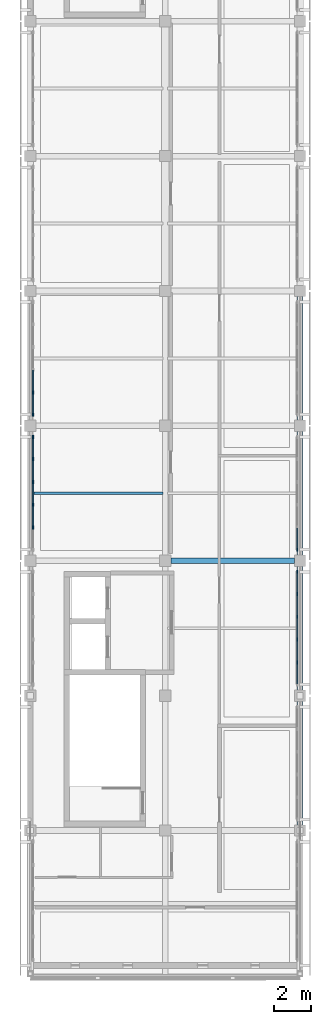
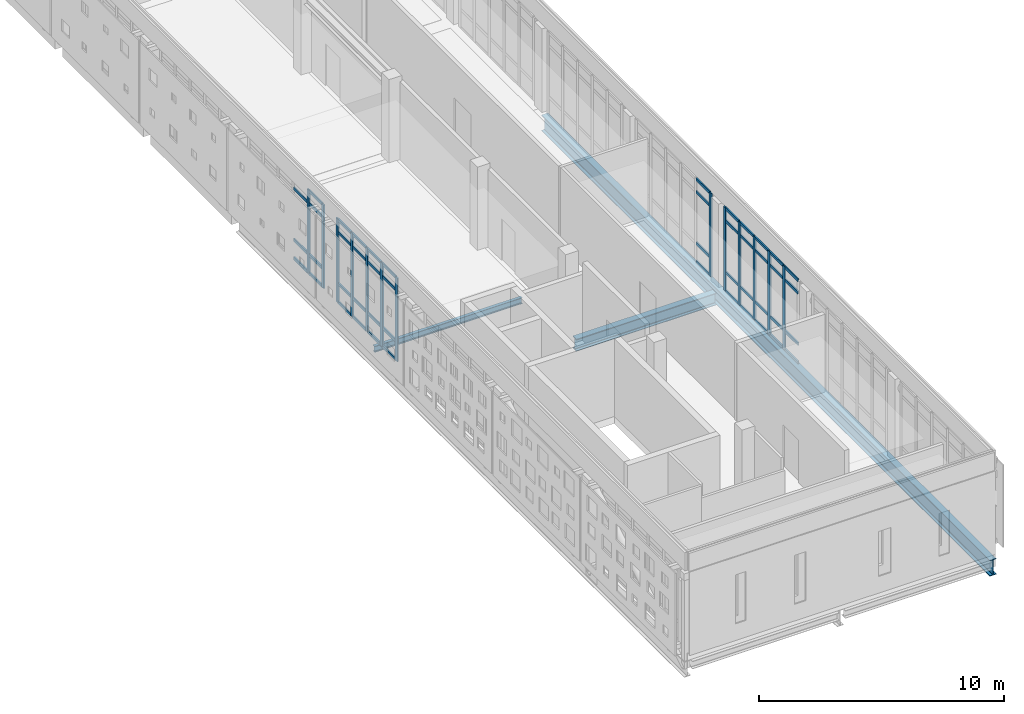
# One storey, part 4 of 19: 60 members, 3 beams, 4 elements without a shape of their own.
"""IFC4 building model written with IfcOpenShell, lengths in metres."""

from ifc_helpers import new_model, si_unit, direction, frame, origin, origin_2d, place, context, subcontext, project, spatial, rectangle, i_section, extrude, material, layer, layer_set, material_profile, profile_set, type_object, element, aggregate, save


model = new_model("IFC4")

# Units and contexts
model_context = context("Model", 3, precision=1e-05, world=origin(), true_north=direction((0.0, 1.0)))
body_context = subcontext(model_context, "Body", "Model", "MODEL_VIEW")
ifc_project = project(units=[si_unit("LENGTHUNIT", "METRE"), si_unit("AREAUNIT", "SQUARE_METRE"), si_unit("VOLUMEUNIT", "CUBIC_METRE"), si_unit("PLANEANGLEUNIT", "RADIAN"), si_unit("MASSUNIT", "GRAM", prefix="KILO")], contexts=[model_context])

# Site, building, storey
site_placement = place(None, origin())
site = spatial("IfcSite", under=ifc_project, at=site_placement, CompositionType="ELEMENT")
building_placement = place(site_placement, origin())
building = spatial("IfcBuilding", under=site, at=building_placement, Name="Valkovuoma Quantum and Materials Research Institute", CompositionType="ELEMENT")
storey_placement = place(building_placement, frame((0.0, 0.0, 38.080078125)))
storey = spatial("IfcBuildingStorey", under=building, at=storey_placement, Name="L09", CompositionType="ELEMENT", Elevation=38.080078125)

# Beams
ifc_material_1 = material(Name="Steel S355J2", Category="steel")
ifc_material_profile_1 = material_profile(ifc_material_1, i_section(OverallWidth=0.300048828125, OverallDepth=0.60009765625, WebThickness=0.015380859375, FlangeThickness=0.030029296875, FilletRadius=0.027099609375, at=origin_2d()), Name="Steel S355J2")
ifc_profile_set_1 = profile_set([ifc_material_profile_1], Name="Steel S355J2")
beam_type_1 = type_object("IfcBeamType", Name="Beam-B-HEB600", PredefinedType="BEAM", material=ifc_profile_set_1)
beam_1_placement = place(storey_placement, frame((7.5, 43.199951171875, -0.650146484375), z_axis=(1.0, 0.0, 0.0), x_axis=(0.0, 1.0, 0.0)))
element("IfcBeam", 1, at=beam_1_placement, inside=storey, type_object=beam_type_1, Name="L09 beam X-2575", PredefinedType="BEAM", context=body_context, shape_type="SweptSolid", body=[
    extrude(i_section(OverallWidth=0.300048828125, OverallDepth=0.60009765625, WebThickness=0.015380859375, FlangeThickness=0.030029296875, FilletRadius=0.027099609375, at=origin_2d()), origin(), (0.0, 0.0, 1.0), 6.60009765625),
])
ifc_material_2 = material(Name="Steel S355J2", Category="steel")
ifc_material_profile_2 = material_profile(ifc_material_2, i_section(OverallWidth=0.300048828125, OverallDepth=0.800048828125, WebThickness=0.017578125, FlangeThickness=0.032958984375, FilletRadius=0.030029296875, at=origin_2d()), Name="Steel S355J2")
ifc_profile_set_2 = profile_set([ifc_material_profile_2], Name="Steel S355J2")
beam_type_2 = type_object("IfcBeamType", Name="Beam-B-HEB800", PredefinedType="BEAM", material=ifc_profile_set_2)
beam_2_placement = place(storey_placement, frame((14.39990234375, 21.0, -0.75), z_axis=(0.0, 1.0, 0.0), x_axis=(-1.0, 0.0, 0.0)))
element("IfcBeam", 2, at=beam_2_placement, inside=storey, type_object=beam_type_2, Name="L09 cantilever girder X2", PredefinedType="BEAM", context=body_context, shape_type="SweptSolid", body=[
    extrude(i_section(OverallWidth=0.300048828125, OverallDepth=0.800048828125, WebThickness=0.017578125, FlangeThickness=0.032958984375, FilletRadius=0.030029296875, at=origin_2d()), origin(), (0.0, 0.0, 1.0), 36.60009765625),
])
ifc_material_3 = material(Name="Steel S355J2", Category="steel")
ifc_material_profile_3 = material_profile(ifc_material_3, i_section(OverallWidth=0.14990234375, OverallDepth=0.300048828125, WebThickness=0.007080078125, FlangeThickness=0.0107421875, FilletRadius=0.014892578125, at=origin_2d()), Name="Steel S355J2")
ifc_profile_set_3 = profile_set([ifc_material_profile_3], Name="Steel S355J2")
beam_type_3 = type_object("IfcBeamType", Name="Beam-B-JST300", PredefinedType="JOIST", material=ifc_profile_set_3)
beam_3_placement = place(storey_placement, frame((0.1201171875, 46.800048828125, -0.5), z_axis=(1.0, 0.0, 0.0), x_axis=(0.0, 1.0, 0.0)))
element("IfcBeam", 3, at=beam_3_placement, inside=storey, type_object=beam_type_3, Name="L09 floor joist 2602", PredefinedType="JOIST", context=body_context, shape_type="SweptSolid", body=[
    extrude(i_section(OverallWidth=0.14990234375, OverallDepth=0.300048828125, WebThickness=0.007080078125, FlangeThickness=0.0107421875, FilletRadius=0.014892578125, at=origin_2d()), origin(), (0.0, 0.0, 1.0), 6.9599609375),
])

# Curtain wall, members
ifc_material_4 = material(Name="Thermally broken aluminium and triple low-E glazing", Category="aluminium")
ifc_layer = layer(ifc_material_4, 0.219970703125)
ifc_layer_set = layer_set([ifc_layer], Name="Thermally broken aluminium and triple low-E glazing")
curtain_wall_type = type_object("IfcCurtainWallType", Name="CW-CW-01", PredefinedType="NOTDEFINED", material=ifc_layer_set)
curtain_wall_1_placement = place(storey_placement, origin())
curtain_wall_1 = element("IfcCurtainWall", 4, at=curtain_wall_1_placement, inside=storey, type_object=curtain_wall_type, Name="L09 curtain wall 131", PredefinedType="NOTDEFINED")
ifc_material_5 = material(Name="Anodised aluminium 6060-T66", Category="aluminium")
ifc_material_profile_4 = material_profile(ifc_material_5, rectangle(XDim=0.06494140625, YDim=0.179931640625, at=origin_2d()), Name="Anodised aluminium 6060-T66")
ifc_profile_set_4 = profile_set([ifc_material_profile_4], Name="Anodised aluminium 6060-T66")
member_type_1 = type_object("IfcMemberType", Name="CWMull-CWM-01", PredefinedType="MULLION", material=ifc_profile_set_4)
member_1_placement = place(storey_placement, frame((14.25, 37.774169921875, 0.0), z_axis=(0.0, 0.0, 1.0), x_axis=(-1.0, 0.0, 0.0)))
member_1 = element("IfcMember", 5, at=member_1_placement, type_object=member_type_1, Name="CW-01 mullion 2", PredefinedType="MULLION", context=body_context, shape_type="SweptSolid", body=[
    extrude(rectangle(XDim=0.06494140625, YDim=0.179931640625, at=origin_2d()), origin(), (0.0, 0.0, 1.0), 4.159912109375),
])
member_2_placement = place(storey_placement, frame((14.25, 38.991455078125, 0.0), z_axis=(0.0, 0.0, 1.0), x_axis=(-1.0, 0.0, 0.0)))
member_2 = element("IfcMember", 6, at=member_2_placement, type_object=member_type_1, Name="CW-01 mullion 3", PredefinedType="MULLION", context=body_context, shape_type="SweptSolid", body=[
    extrude(rectangle(XDim=0.06494140625, YDim=0.179931640625, at=origin_2d()), origin(), (0.0, 0.0, 1.0), 4.159912109375),
])
member_3_placement = place(storey_placement, frame((14.25, 40.20849609375, 0.0), z_axis=(0.0, 0.0, 1.0), x_axis=(-1.0, 0.0, 0.0)))
member_3 = element("IfcMember", 7, at=member_3_placement, type_object=member_type_1, Name="CW-01 mullion 4", PredefinedType="MULLION", context=body_context, shape_type="SweptSolid", body=[
    extrude(rectangle(XDim=0.06494140625, YDim=0.179931640625, at=origin_2d()), origin(), (0.0, 0.0, 1.0), 4.159912109375),
])
member_4_placement = place(storey_placement, frame((14.25, 41.42578125, 0.0), z_axis=(0.0, 0.0, 1.0), x_axis=(-1.0, 0.0, 0.0)))
member_4 = element("IfcMember", 8, at=member_4_placement, type_object=member_type_1, Name="CW-01 mullion 5", PredefinedType="MULLION", context=body_context, shape_type="SweptSolid", body=[
    extrude(rectangle(XDim=0.06494140625, YDim=0.179931640625, at=origin_2d()), origin(), (0.0, 0.0, 1.0), 4.159912109375),
])
member_5_placement = place(storey_placement, frame((14.25, 42.6103515625, 0.0), z_axis=(0.0, 0.0, 1.0), x_axis=(-1.0, 0.0, 0.0)))
member_5 = element("IfcMember", 9, at=member_5_placement, type_object=member_type_1, Name="CW-01 mullion 6", PredefinedType="MULLION", context=body_context, shape_type="SweptSolid", body=[
    extrude(rectangle(XDim=0.06494140625, YDim=0.179931640625, at=origin_2d()), origin(), (0.0, 0.0, 1.0), 4.159912109375),
])

curtain_wall_2_placement = place(storey_placement, origin())
curtain_wall_2 = element("IfcCurtainWall", 10, at=curtain_wall_2_placement, inside=storey, type_object=curtain_wall_type, Name="L09 curtain wall 132", PredefinedType="NOTDEFINED")
member_6_placement = place(storey_placement, frame((0.14990234375, 44.974365234375, 0.0), z_axis=(0.0, 0.0, 1.0), x_axis=(-1.0, 0.0, 0.0)))
member_6 = element("IfcMember", 11, at=member_6_placement, type_object=member_type_1, Name="CW-01 mullion 2", PredefinedType="MULLION", context=body_context, shape_type="SweptSolid", body=[
    extrude(rectangle(XDim=0.06494140625, YDim=0.179931640625, at=origin_2d()), origin(), (0.0, 0.0, 1.0), 4.159912109375),
])
member_7_placement = place(storey_placement, frame((0.14990234375, 46.19140625, 0.0), z_axis=(0.0, 0.0, 1.0), x_axis=(-1.0, 0.0, 0.0)))
member_7 = element("IfcMember", 12, at=member_7_placement, type_object=member_type_1, Name="CW-01 mullion 3", PredefinedType="MULLION", context=body_context, shape_type="SweptSolid", body=[
    extrude(rectangle(XDim=0.06494140625, YDim=0.179931640625, at=origin_2d()), origin(), (0.0, 0.0, 1.0), 4.159912109375),
])
member_8_placement = place(storey_placement, frame((0.14990234375, 47.40869140625, 0.0), z_axis=(0.0, 0.0, 1.0), x_axis=(-1.0, 0.0, 0.0)))
member_8 = element("IfcMember", 13, at=member_8_placement, type_object=member_type_1, Name="CW-01 mullion 4", PredefinedType="MULLION", context=body_context, shape_type="SweptSolid", body=[
    extrude(rectangle(XDim=0.06494140625, YDim=0.179931640625, at=origin_2d()), origin(), (0.0, 0.0, 1.0), 4.159912109375),
])
member_9_placement = place(storey_placement, frame((0.14990234375, 48.625732421875, 0.0), z_axis=(0.0, 0.0, 1.0), x_axis=(-1.0, 0.0, 0.0)))
member_9 = element("IfcMember", 14, at=member_9_placement, type_object=member_type_1, Name="CW-01 mullion 5", PredefinedType="MULLION", context=body_context, shape_type="SweptSolid", body=[
    extrude(rectangle(XDim=0.06494140625, YDim=0.179931640625, at=origin_2d()), origin(), (0.0, 0.0, 1.0), 4.159912109375),
])
member_10_placement = place(storey_placement, frame((0.14990234375, 49.810302734375, 0.0), z_axis=(0.0, 0.0, 1.0), x_axis=(-1.0, 0.0, 0.0)))
member_10 = element("IfcMember", 15, at=member_10_placement, type_object=member_type_1, Name="CW-01 mullion 6", PredefinedType="MULLION", context=body_context, shape_type="SweptSolid", body=[
    extrude(rectangle(XDim=0.06494140625, YDim=0.179931640625, at=origin_2d()), origin(), (0.0, 0.0, 1.0), 4.159912109375),
])

# Curtain wall, member
curtain_wall_3_placement = place(storey_placement, origin())
curtain_wall_3 = element("IfcCurtainWall", 16, at=curtain_wall_3_placement, inside=storey, type_object=curtain_wall_type, Name="L09 curtain wall 133", PredefinedType="NOTDEFINED")
member_11_placement = place(storey_placement, frame((14.25, 43.78955078125, 0.0), z_axis=(0.0, 0.0, 1.0), x_axis=(-1.0, 0.0, 0.0)))
member_11 = element("IfcMember", 17, at=member_11_placement, type_object=member_type_1, Name="CW-01 mullion 1", PredefinedType="MULLION", context=body_context, shape_type="SweptSolid", body=[
    extrude(rectangle(XDim=0.06494140625, YDim=0.179931640625, at=origin_2d()), origin(), (0.0, 0.0, 1.0), 4.159912109375),
])

# Curtain wall, members
curtain_wall_4_placement = place(storey_placement, origin())
curtain_wall_4 = element("IfcCurtainWall", 18, at=curtain_wall_4_placement, inside=storey, type_object=curtain_wall_type, Name="L09 curtain wall 134", PredefinedType="NOTDEFINED")
member_12_placement = place(storey_placement, frame((0.14990234375, 50.989501953125, 0.0), z_axis=(0.0, 0.0, 1.0), x_axis=(-1.0, 0.0, 0.0)))
member_12 = element("IfcMember", 19, at=member_12_placement, type_object=member_type_1, Name="CW-01 mullion 1", PredefinedType="MULLION", context=body_context, shape_type="SweptSolid", body=[
    extrude(rectangle(XDim=0.06494140625, YDim=0.179931640625, at=origin_2d()), origin(), (0.0, 0.0, 1.0), 4.159912109375),
])
member_13_placement = place(storey_placement, frame((0.14990234375, 52.17431640625, 0.0), z_axis=(0.0, 0.0, 1.0), x_axis=(-1.0, 0.0, 0.0)))
member_13 = element("IfcMember", 20, at=member_13_placement, type_object=member_type_1, Name="CW-01 mullion 2", PredefinedType="MULLION", context=body_context, shape_type="SweptSolid", body=[
    extrude(rectangle(XDim=0.06494140625, YDim=0.179931640625, at=origin_2d()), origin(), (0.0, 0.0, 1.0), 4.159912109375),
])

# Member
ifc_material_6 = material(Name="Anodised aluminium 6060-T66", Category="aluminium")
ifc_material_profile_5 = material_profile(ifc_material_6, rectangle(XDim=0.06494140625, YDim=0.139892578125, at=origin_2d()), Name="Anodised aluminium 6060-T66")
ifc_profile_set_5 = profile_set([ifc_material_profile_5], Name="Anodised aluminium 6060-T66")
member_type_2 = type_object("IfcMemberType", Name="CWTran-CWT-01", PredefinedType="USERDEFINED", material=ifc_profile_set_5)
member_14_placement = place(storey_placement, frame((14.25, 36.6220703125, 0.032470703125), z_axis=(0.0, 1.0, 0.0), x_axis=(-1.0, 0.0, 0.0)))
member_14 = element("IfcMember", 21, at=member_14_placement, type_object=member_type_2, Name="CW-01 transom 1.1", ObjectType="TRANSOM", PredefinedType="USERDEFINED", context=body_context, shape_type="SweptSolid", body=[
    extrude(rectangle(XDim=0.06494140625, YDim=0.139892578125, at=origin_2d()), origin(), (0.0, 0.0, 1.0), 1.11962890625),
])

member_15_placement = place(storey_placement, frame((14.25, 36.6220703125, 0.949951171875), z_axis=(0.0, 1.0, 0.0), x_axis=(-1.0, 0.0, 0.0)))
member_15 = element("IfcMember", 22, at=member_15_placement, type_object=member_type_2, Name="CW-01 transom 1.2", ObjectType="TRANSOM", PredefinedType="USERDEFINED", context=body_context, shape_type="SweptSolid", body=[
    extrude(rectangle(XDim=0.06494140625, YDim=0.139892578125, at=origin_2d()), origin(), (0.0, 0.0, 1.0), 1.11962890625),
])

member_16_placement = place(storey_placement, frame((14.25, 36.6220703125, 3.510009765625), z_axis=(0.0, 1.0, 0.0), x_axis=(-1.0, 0.0, 0.0)))
member_16 = element("IfcMember", 23, at=member_16_placement, type_object=member_type_2, Name="CW-01 transom 1.3", ObjectType="TRANSOM", PredefinedType="USERDEFINED", context=body_context, shape_type="SweptSolid", body=[
    extrude(rectangle(XDim=0.06494140625, YDim=0.139892578125, at=origin_2d()), origin(), (0.0, 0.0, 1.0), 1.11962890625),
])

member_17_placement = place(storey_placement, frame((14.25, 36.6220703125, 4.12744140625), z_axis=(0.0, 1.0, 0.0), x_axis=(-1.0, 0.0, 0.0)))
member_17 = element("IfcMember", 24, at=member_17_placement, type_object=member_type_2, Name="CW-01 transom 1.4", ObjectType="TRANSOM", PredefinedType="USERDEFINED", context=body_context, shape_type="SweptSolid", body=[
    extrude(rectangle(XDim=0.06494140625, YDim=0.139892578125, at=origin_2d()), origin(), (0.0, 0.0, 1.0), 1.11962890625),
])

member_18_placement = place(storey_placement, frame((14.25, 37.806640625, 0.032470703125), z_axis=(0.0, 1.0, 0.0), x_axis=(-1.0, 0.0, 0.0)))
member_18 = element("IfcMember", 25, at=member_18_placement, type_object=member_type_2, Name="CW-01 transom 2.1", ObjectType="TRANSOM", PredefinedType="USERDEFINED", context=body_context, shape_type="SweptSolid", body=[
    extrude(rectangle(XDim=0.06494140625, YDim=0.139892578125, at=origin_2d()), origin(), (0.0, 0.0, 1.0), 1.15234375),
])

member_19_placement = place(storey_placement, frame((14.25, 37.806640625, 0.949951171875), z_axis=(0.0, 1.0, 0.0), x_axis=(-1.0, 0.0, 0.0)))
member_19 = element("IfcMember", 26, at=member_19_placement, type_object=member_type_2, Name="CW-01 transom 2.2", ObjectType="TRANSOM", PredefinedType="USERDEFINED", context=body_context, shape_type="SweptSolid", body=[
    extrude(rectangle(XDim=0.06494140625, YDim=0.139892578125, at=origin_2d()), origin(), (0.0, 0.0, 1.0), 1.15234375),
])

member_20_placement = place(storey_placement, frame((14.25, 37.806640625, 3.510009765625), z_axis=(0.0, 1.0, 0.0), x_axis=(-1.0, 0.0, 0.0)))
member_20 = element("IfcMember", 27, at=member_20_placement, type_object=member_type_2, Name="CW-01 transom 2.3", ObjectType="TRANSOM", PredefinedType="USERDEFINED", context=body_context, shape_type="SweptSolid", body=[
    extrude(rectangle(XDim=0.06494140625, YDim=0.139892578125, at=origin_2d()), origin(), (0.0, 0.0, 1.0), 1.15234375),
])

member_21_placement = place(storey_placement, frame((14.25, 37.806640625, 4.12744140625), z_axis=(0.0, 1.0, 0.0), x_axis=(-1.0, 0.0, 0.0)))
member_21 = element("IfcMember", 28, at=member_21_placement, type_object=member_type_2, Name="CW-01 transom 2.4", ObjectType="TRANSOM", PredefinedType="USERDEFINED", context=body_context, shape_type="SweptSolid", body=[
    extrude(rectangle(XDim=0.06494140625, YDim=0.139892578125, at=origin_2d()), origin(), (0.0, 0.0, 1.0), 1.15234375),
])

member_22_placement = place(storey_placement, frame((14.25, 39.02392578125, 0.032470703125), z_axis=(0.0, 1.0, 0.0), x_axis=(-1.0, 0.0, 0.0)))
member_22 = element("IfcMember", 29, at=member_22_placement, type_object=member_type_2, Name="CW-01 transom 3.1", ObjectType="TRANSOM", PredefinedType="USERDEFINED", context=body_context, shape_type="SweptSolid", body=[
    extrude(rectangle(XDim=0.06494140625, YDim=0.139892578125, at=origin_2d()), origin(), (0.0, 0.0, 1.0), 1.152099609375),
])

member_23_placement = place(storey_placement, frame((14.25, 39.02392578125, 0.949951171875), z_axis=(0.0, 1.0, 0.0), x_axis=(-1.0, 0.0, 0.0)))
member_23 = element("IfcMember", 30, at=member_23_placement, type_object=member_type_2, Name="CW-01 transom 3.2", ObjectType="TRANSOM", PredefinedType="USERDEFINED", context=body_context, shape_type="SweptSolid", body=[
    extrude(rectangle(XDim=0.06494140625, YDim=0.139892578125, at=origin_2d()), origin(), (0.0, 0.0, 1.0), 1.152099609375),
])

member_24_placement = place(storey_placement, frame((14.25, 39.02392578125, 3.510009765625), z_axis=(0.0, 1.0, 0.0), x_axis=(-1.0, 0.0, 0.0)))
member_24 = element("IfcMember", 31, at=member_24_placement, type_object=member_type_2, Name="CW-01 transom 3.3", ObjectType="TRANSOM", PredefinedType="USERDEFINED", context=body_context, shape_type="SweptSolid", body=[
    extrude(rectangle(XDim=0.06494140625, YDim=0.139892578125, at=origin_2d()), origin(), (0.0, 0.0, 1.0), 1.152099609375),
])

member_25_placement = place(storey_placement, frame((14.25, 39.02392578125, 4.12744140625), z_axis=(0.0, 1.0, 0.0), x_axis=(-1.0, 0.0, 0.0)))
member_25 = element("IfcMember", 32, at=member_25_placement, type_object=member_type_2, Name="CW-01 transom 3.4", ObjectType="TRANSOM", PredefinedType="USERDEFINED", context=body_context, shape_type="SweptSolid", body=[
    extrude(rectangle(XDim=0.06494140625, YDim=0.139892578125, at=origin_2d()), origin(), (0.0, 0.0, 1.0), 1.152099609375),
])

member_26_placement = place(storey_placement, frame((14.25, 40.240966796875, 0.032470703125), z_axis=(0.0, 1.0, 0.0), x_axis=(-1.0, 0.0, 0.0)))
member_26 = element("IfcMember", 33, at=member_26_placement, type_object=member_type_2, Name="CW-01 transom 4.1", ObjectType="TRANSOM", PredefinedType="USERDEFINED", context=body_context, shape_type="SweptSolid", body=[
    extrude(rectangle(XDim=0.06494140625, YDim=0.139892578125, at=origin_2d()), origin(), (0.0, 0.0, 1.0), 1.15234375),
])

member_27_placement = place(storey_placement, frame((14.25, 40.240966796875, 0.949951171875), z_axis=(0.0, 1.0, 0.0), x_axis=(-1.0, 0.0, 0.0)))
member_27 = element("IfcMember", 34, at=member_27_placement, type_object=member_type_2, Name="CW-01 transom 4.2", ObjectType="TRANSOM", PredefinedType="USERDEFINED", context=body_context, shape_type="SweptSolid", body=[
    extrude(rectangle(XDim=0.06494140625, YDim=0.139892578125, at=origin_2d()), origin(), (0.0, 0.0, 1.0), 1.15234375),
])

member_28_placement = place(storey_placement, frame((14.25, 40.240966796875, 3.510009765625), z_axis=(0.0, 1.0, 0.0), x_axis=(-1.0, 0.0, 0.0)))
member_28 = element("IfcMember", 35, at=member_28_placement, type_object=member_type_2, Name="CW-01 transom 4.3", ObjectType="TRANSOM", PredefinedType="USERDEFINED", context=body_context, shape_type="SweptSolid", body=[
    extrude(rectangle(XDim=0.06494140625, YDim=0.139892578125, at=origin_2d()), origin(), (0.0, 0.0, 1.0), 1.15234375),
])

member_29_placement = place(storey_placement, frame((14.25, 40.240966796875, 4.12744140625), z_axis=(0.0, 1.0, 0.0), x_axis=(-1.0, 0.0, 0.0)))
member_29 = element("IfcMember", 36, at=member_29_placement, type_object=member_type_2, Name="CW-01 transom 4.4", ObjectType="TRANSOM", PredefinedType="USERDEFINED", context=body_context, shape_type="SweptSolid", body=[
    extrude(rectangle(XDim=0.06494140625, YDim=0.139892578125, at=origin_2d()), origin(), (0.0, 0.0, 1.0), 1.15234375),
])

member_30_placement = place(storey_placement, frame((14.25, 41.458251953125, 0.032470703125), z_axis=(0.0, 1.0, 0.0), x_axis=(-1.0, 0.0, 0.0)))
member_30 = element("IfcMember", 37, at=member_30_placement, type_object=member_type_2, Name="CW-01 transom 5.1", ObjectType="TRANSOM", PredefinedType="USERDEFINED", context=body_context, shape_type="SweptSolid", body=[
    extrude(rectangle(XDim=0.06494140625, YDim=0.139892578125, at=origin_2d()), origin(), (0.0, 0.0, 1.0), 1.11962890625),
])

member_31_placement = place(storey_placement, frame((14.25, 41.458251953125, 0.949951171875), z_axis=(0.0, 1.0, 0.0), x_axis=(-1.0, 0.0, 0.0)))
member_31 = element("IfcMember", 38, at=member_31_placement, type_object=member_type_2, Name="CW-01 transom 5.2", ObjectType="TRANSOM", PredefinedType="USERDEFINED", context=body_context, shape_type="SweptSolid", body=[
    extrude(rectangle(XDim=0.06494140625, YDim=0.139892578125, at=origin_2d()), origin(), (0.0, 0.0, 1.0), 1.11962890625),
])

member_32_placement = place(storey_placement, frame((14.25, 41.458251953125, 3.510009765625), z_axis=(0.0, 1.0, 0.0), x_axis=(-1.0, 0.0, 0.0)))
member_32 = element("IfcMember", 39, at=member_32_placement, type_object=member_type_2, Name="CW-01 transom 5.3", ObjectType="TRANSOM", PredefinedType="USERDEFINED", context=body_context, shape_type="SweptSolid", body=[
    extrude(rectangle(XDim=0.06494140625, YDim=0.139892578125, at=origin_2d()), origin(), (0.0, 0.0, 1.0), 1.11962890625),
])

member_33_placement = place(storey_placement, frame((14.25, 41.458251953125, 4.12744140625), z_axis=(0.0, 1.0, 0.0), x_axis=(-1.0, 0.0, 0.0)))
member_33 = element("IfcMember", 40, at=member_33_placement, type_object=member_type_2, Name="CW-01 transom 5.4", ObjectType="TRANSOM", PredefinedType="USERDEFINED", context=body_context, shape_type="SweptSolid", body=[
    extrude(rectangle(XDim=0.06494140625, YDim=0.139892578125, at=origin_2d()), origin(), (0.0, 0.0, 1.0), 1.11962890625),
])

aggregate(curtain_wall_1, [member_1, member_2, member_3, member_4, member_5, member_14, member_15, member_16, member_17, member_18, member_19, member_20, member_21, member_22, member_23, member_24, member_25, member_26, member_27, member_28, member_29, member_30, member_31, member_32, member_33])

member_34_placement = place(storey_placement, frame((0.14990234375, 45.0068359375, 0.032470703125), z_axis=(0.0, 1.0, 0.0), x_axis=(-1.0, 0.0, 0.0)))
member_34 = element("IfcMember", 41, at=member_34_placement, type_object=member_type_2, Name="CW-01 transom 2.1", ObjectType="TRANSOM", PredefinedType="USERDEFINED", context=body_context, shape_type="SweptSolid", body=[
    extrude(rectangle(XDim=0.06494140625, YDim=0.139892578125, at=origin_2d()), origin(), (0.0, 0.0, 1.0), 1.152099609375),
])

member_35_placement = place(storey_placement, frame((0.14990234375, 45.0068359375, 0.949951171875), z_axis=(0.0, 1.0, 0.0), x_axis=(-1.0, 0.0, 0.0)))
member_35 = element("IfcMember", 42, at=member_35_placement, type_object=member_type_2, Name="CW-01 transom 2.2", ObjectType="TRANSOM", PredefinedType="USERDEFINED", context=body_context, shape_type="SweptSolid", body=[
    extrude(rectangle(XDim=0.06494140625, YDim=0.139892578125, at=origin_2d()), origin(), (0.0, 0.0, 1.0), 1.152099609375),
])

member_36_placement = place(storey_placement, frame((0.14990234375, 45.0068359375, 3.510009765625), z_axis=(0.0, 1.0, 0.0), x_axis=(-1.0, 0.0, 0.0)))
member_36 = element("IfcMember", 43, at=member_36_placement, type_object=member_type_2, Name="CW-01 transom 2.3", ObjectType="TRANSOM", PredefinedType="USERDEFINED", context=body_context, shape_type="SweptSolid", body=[
    extrude(rectangle(XDim=0.06494140625, YDim=0.139892578125, at=origin_2d()), origin(), (0.0, 0.0, 1.0), 1.152099609375),
])

member_37_placement = place(storey_placement, frame((0.14990234375, 45.0068359375, 4.12744140625), z_axis=(0.0, 1.0, 0.0), x_axis=(-1.0, 0.0, 0.0)))
member_37 = element("IfcMember", 44, at=member_37_placement, type_object=member_type_2, Name="CW-01 transom 2.4", ObjectType="TRANSOM", PredefinedType="USERDEFINED", context=body_context, shape_type="SweptSolid", body=[
    extrude(rectangle(XDim=0.06494140625, YDim=0.139892578125, at=origin_2d()), origin(), (0.0, 0.0, 1.0), 1.152099609375),
])

member_38_placement = place(storey_placement, frame((0.14990234375, 46.223876953125, 0.032470703125), z_axis=(0.0, 1.0, 0.0), x_axis=(-1.0, 0.0, 0.0)))
member_38 = element("IfcMember", 45, at=member_38_placement, type_object=member_type_2, Name="CW-01 transom 3.1", ObjectType="TRANSOM", PredefinedType="USERDEFINED", context=body_context, shape_type="SweptSolid", body=[
    extrude(rectangle(XDim=0.06494140625, YDim=0.139892578125, at=origin_2d()), origin(), (0.0, 0.0, 1.0), 1.152099609375),
])

member_39_placement = place(storey_placement, frame((0.14990234375, 46.223876953125, 0.949951171875), z_axis=(0.0, 1.0, 0.0), x_axis=(-1.0, 0.0, 0.0)))
member_39 = element("IfcMember", 46, at=member_39_placement, type_object=member_type_2, Name="CW-01 transom 3.2", ObjectType="TRANSOM", PredefinedType="USERDEFINED", context=body_context, shape_type="SweptSolid", body=[
    extrude(rectangle(XDim=0.06494140625, YDim=0.139892578125, at=origin_2d()), origin(), (0.0, 0.0, 1.0), 1.152099609375),
])

member_40_placement = place(storey_placement, frame((0.14990234375, 46.223876953125, 3.510009765625), z_axis=(0.0, 1.0, 0.0), x_axis=(-1.0, 0.0, 0.0)))
member_40 = element("IfcMember", 47, at=member_40_placement, type_object=member_type_2, Name="CW-01 transom 3.3", ObjectType="TRANSOM", PredefinedType="USERDEFINED", context=body_context, shape_type="SweptSolid", body=[
    extrude(rectangle(XDim=0.06494140625, YDim=0.139892578125, at=origin_2d()), origin(), (0.0, 0.0, 1.0), 1.152099609375),
])

member_41_placement = place(storey_placement, frame((0.14990234375, 46.223876953125, 4.12744140625), z_axis=(0.0, 1.0, 0.0), x_axis=(-1.0, 0.0, 0.0)))
member_41 = element("IfcMember", 48, at=member_41_placement, type_object=member_type_2, Name="CW-01 transom 3.4", ObjectType="TRANSOM", PredefinedType="USERDEFINED", context=body_context, shape_type="SweptSolid", body=[
    extrude(rectangle(XDim=0.06494140625, YDim=0.139892578125, at=origin_2d()), origin(), (0.0, 0.0, 1.0), 1.152099609375),
])

member_42_placement = place(storey_placement, frame((0.14990234375, 47.441162109375, 0.032470703125), z_axis=(0.0, 1.0, 0.0), x_axis=(-1.0, 0.0, 0.0)))
member_42 = element("IfcMember", 49, at=member_42_placement, type_object=member_type_2, Name="CW-01 transom 4.1", ObjectType="TRANSOM", PredefinedType="USERDEFINED", context=body_context, shape_type="SweptSolid", body=[
    extrude(rectangle(XDim=0.06494140625, YDim=0.139892578125, at=origin_2d()), origin(), (0.0, 0.0, 1.0), 1.152099609375),
])

member_43_placement = place(storey_placement, frame((0.14990234375, 47.441162109375, 0.949951171875), z_axis=(0.0, 1.0, 0.0), x_axis=(-1.0, 0.0, 0.0)))
member_43 = element("IfcMember", 50, at=member_43_placement, type_object=member_type_2, Name="CW-01 transom 4.2", ObjectType="TRANSOM", PredefinedType="USERDEFINED", context=body_context, shape_type="SweptSolid", body=[
    extrude(rectangle(XDim=0.06494140625, YDim=0.139892578125, at=origin_2d()), origin(), (0.0, 0.0, 1.0), 1.152099609375),
])

member_44_placement = place(storey_placement, frame((0.14990234375, 47.441162109375, 3.510009765625), z_axis=(0.0, 1.0, 0.0), x_axis=(-1.0, 0.0, 0.0)))
member_44 = element("IfcMember", 51, at=member_44_placement, type_object=member_type_2, Name="CW-01 transom 4.3", ObjectType="TRANSOM", PredefinedType="USERDEFINED", context=body_context, shape_type="SweptSolid", body=[
    extrude(rectangle(XDim=0.06494140625, YDim=0.139892578125, at=origin_2d()), origin(), (0.0, 0.0, 1.0), 1.152099609375),
])

member_45_placement = place(storey_placement, frame((0.14990234375, 47.441162109375, 4.12744140625), z_axis=(0.0, 1.0, 0.0), x_axis=(-1.0, 0.0, 0.0)))
member_45 = element("IfcMember", 52, at=member_45_placement, type_object=member_type_2, Name="CW-01 transom 4.4", ObjectType="TRANSOM", PredefinedType="USERDEFINED", context=body_context, shape_type="SweptSolid", body=[
    extrude(rectangle(XDim=0.06494140625, YDim=0.139892578125, at=origin_2d()), origin(), (0.0, 0.0, 1.0), 1.152099609375),
])

member_46_placement = place(storey_placement, frame((0.14990234375, 48.658203125, 0.032470703125), z_axis=(0.0, 1.0, 0.0), x_axis=(-1.0, 0.0, 0.0)))
member_46 = element("IfcMember", 53, at=member_46_placement, type_object=member_type_2, Name="CW-01 transom 5.1", ObjectType="TRANSOM", PredefinedType="USERDEFINED", context=body_context, shape_type="SweptSolid", body=[
    extrude(rectangle(XDim=0.06494140625, YDim=0.139892578125, at=origin_2d()), origin(), (0.0, 0.0, 1.0), 1.11962890625),
])

member_47_placement = place(storey_placement, frame((0.14990234375, 48.658203125, 0.949951171875), z_axis=(0.0, 1.0, 0.0), x_axis=(-1.0, 0.0, 0.0)))
member_47 = element("IfcMember", 54, at=member_47_placement, type_object=member_type_2, Name="CW-01 transom 5.2", ObjectType="TRANSOM", PredefinedType="USERDEFINED", context=body_context, shape_type="SweptSolid", body=[
    extrude(rectangle(XDim=0.06494140625, YDim=0.139892578125, at=origin_2d()), origin(), (0.0, 0.0, 1.0), 1.11962890625),
])

member_48_placement = place(storey_placement, frame((0.14990234375, 48.658203125, 3.510009765625), z_axis=(0.0, 1.0, 0.0), x_axis=(-1.0, 0.0, 0.0)))
member_48 = element("IfcMember", 55, at=member_48_placement, type_object=member_type_2, Name="CW-01 transom 5.3", ObjectType="TRANSOM", PredefinedType="USERDEFINED", context=body_context, shape_type="SweptSolid", body=[
    extrude(rectangle(XDim=0.06494140625, YDim=0.139892578125, at=origin_2d()), origin(), (0.0, 0.0, 1.0), 1.11962890625),
])

member_49_placement = place(storey_placement, frame((0.14990234375, 48.658203125, 4.12744140625), z_axis=(0.0, 1.0, 0.0), x_axis=(-1.0, 0.0, 0.0)))
member_49 = element("IfcMember", 56, at=member_49_placement, type_object=member_type_2, Name="CW-01 transom 5.4", ObjectType="TRANSOM", PredefinedType="USERDEFINED", context=body_context, shape_type="SweptSolid", body=[
    extrude(rectangle(XDim=0.06494140625, YDim=0.139892578125, at=origin_2d()), origin(), (0.0, 0.0, 1.0), 1.11962890625),
])

aggregate(curtain_wall_2, [member_6, member_7, member_8, member_9, member_10, member_34, member_35, member_36, member_37, member_38, member_39, member_40, member_41, member_42, member_43, member_44, member_45, member_46, member_47, member_48, member_49])

member_50_placement = place(storey_placement, frame((14.25, 43.822021484375, 0.032470703125), z_axis=(0.0, 1.0, 0.0), x_axis=(-1.0, 0.0, 0.0)))
member_50 = element("IfcMember", 57, at=member_50_placement, type_object=member_type_2, Name="CW-01 transom 1.1", ObjectType="TRANSOM", PredefinedType="USERDEFINED", context=body_context, shape_type="SweptSolid", body=[
    extrude(rectangle(XDim=0.06494140625, YDim=0.139892578125, at=origin_2d()), origin(), (0.0, 0.0, 1.0), 1.11962890625),
])

member_51_placement = place(storey_placement, frame((14.25, 43.822021484375, 0.949951171875), z_axis=(0.0, 1.0, 0.0), x_axis=(-1.0, 0.0, 0.0)))
member_51 = element("IfcMember", 58, at=member_51_placement, type_object=member_type_2, Name="CW-01 transom 1.2", ObjectType="TRANSOM", PredefinedType="USERDEFINED", context=body_context, shape_type="SweptSolid", body=[
    extrude(rectangle(XDim=0.06494140625, YDim=0.139892578125, at=origin_2d()), origin(), (0.0, 0.0, 1.0), 1.11962890625),
])

member_52_placement = place(storey_placement, frame((14.25, 43.822021484375, 3.510009765625), z_axis=(0.0, 1.0, 0.0), x_axis=(-1.0, 0.0, 0.0)))
member_52 = element("IfcMember", 59, at=member_52_placement, type_object=member_type_2, Name="CW-01 transom 1.3", ObjectType="TRANSOM", PredefinedType="USERDEFINED", context=body_context, shape_type="SweptSolid", body=[
    extrude(rectangle(XDim=0.06494140625, YDim=0.139892578125, at=origin_2d()), origin(), (0.0, 0.0, 1.0), 1.11962890625),
])

member_53_placement = place(storey_placement, frame((14.25, 43.822021484375, 4.12744140625), z_axis=(0.0, 1.0, 0.0), x_axis=(-1.0, 0.0, 0.0)))
member_53 = element("IfcMember", 60, at=member_53_placement, type_object=member_type_2, Name="CW-01 transom 1.4", ObjectType="TRANSOM", PredefinedType="USERDEFINED", context=body_context, shape_type="SweptSolid", body=[
    extrude(rectangle(XDim=0.06494140625, YDim=0.139892578125, at=origin_2d()), origin(), (0.0, 0.0, 1.0), 1.11962890625),
])

aggregate(curtain_wall_3, [member_11, member_50, member_51, member_52, member_53])

member_54_placement = place(storey_placement, frame((0.14990234375, 51.022216796875, 0.032470703125), z_axis=(0.0, 1.0, 0.0), x_axis=(-1.0, 0.0, 0.0)))
member_54 = element("IfcMember", 61, at=member_54_placement, type_object=member_type_2, Name="CW-01 transom 1.1", ObjectType="TRANSOM", PredefinedType="USERDEFINED", context=body_context, shape_type="SweptSolid", body=[
    extrude(rectangle(XDim=0.06494140625, YDim=0.139892578125, at=origin_2d()), origin(), (0.0, 0.0, 1.0), 1.11962890625),
])

member_55_placement = place(storey_placement, frame((0.14990234375, 51.022216796875, 0.949951171875), z_axis=(0.0, 1.0, 0.0), x_axis=(-1.0, 0.0, 0.0)))
member_55 = element("IfcMember", 62, at=member_55_placement, type_object=member_type_2, Name="CW-01 transom 1.2", ObjectType="TRANSOM", PredefinedType="USERDEFINED", context=body_context, shape_type="SweptSolid", body=[
    extrude(rectangle(XDim=0.06494140625, YDim=0.139892578125, at=origin_2d()), origin(), (0.0, 0.0, 1.0), 1.11962890625),
])

member_56_placement = place(storey_placement, frame((0.14990234375, 51.022216796875, 3.510009765625), z_axis=(0.0, 1.0, 0.0), x_axis=(-1.0, 0.0, 0.0)))
member_56 = element("IfcMember", 63, at=member_56_placement, type_object=member_type_2, Name="CW-01 transom 1.3", ObjectType="TRANSOM", PredefinedType="USERDEFINED", context=body_context, shape_type="SweptSolid", body=[
    extrude(rectangle(XDim=0.06494140625, YDim=0.139892578125, at=origin_2d()), origin(), (0.0, 0.0, 1.0), 1.11962890625),
])

member_57_placement = place(storey_placement, frame((0.14990234375, 51.022216796875, 4.12744140625), z_axis=(0.0, 1.0, 0.0), x_axis=(-1.0, 0.0, 0.0)))
member_57 = element("IfcMember", 64, at=member_57_placement, type_object=member_type_2, Name="CW-01 transom 1.4", ObjectType="TRANSOM", PredefinedType="USERDEFINED", context=body_context, shape_type="SweptSolid", body=[
    extrude(rectangle(XDim=0.06494140625, YDim=0.139892578125, at=origin_2d()), origin(), (0.0, 0.0, 1.0), 1.11962890625),
])

member_58_placement = place(storey_placement, frame((0.14990234375, 52.206787109375, 0.032470703125), z_axis=(0.0, 1.0, 0.0), x_axis=(-1.0, 0.0, 0.0)))
member_58 = element("IfcMember", 65, at=member_58_placement, type_object=member_type_2, Name="CW-01 transom 2.1", ObjectType="TRANSOM", PredefinedType="USERDEFINED", context=body_context, shape_type="SweptSolid", body=[
    extrude(rectangle(XDim=0.06494140625, YDim=0.139892578125, at=origin_2d()), origin(), (0.0, 0.0, 1.0), 1.152099609375),
])

member_59_placement = place(storey_placement, frame((0.14990234375, 52.206787109375, 0.949951171875), z_axis=(0.0, 1.0, 0.0), x_axis=(-1.0, 0.0, 0.0)))
member_59 = element("IfcMember", 66, at=member_59_placement, type_object=member_type_2, Name="CW-01 transom 2.2", ObjectType="TRANSOM", PredefinedType="USERDEFINED", context=body_context, shape_type="SweptSolid", body=[
    extrude(rectangle(XDim=0.06494140625, YDim=0.139892578125, at=origin_2d()), origin(), (0.0, 0.0, 1.0), 1.152099609375),
])

member_60_placement = place(storey_placement, frame((0.14990234375, 52.206787109375, 3.510009765625), z_axis=(0.0, 1.0, 0.0), x_axis=(-1.0, 0.0, 0.0)))
member_60 = element("IfcMember", 67, at=member_60_placement, type_object=member_type_2, Name="CW-01 transom 2.3", ObjectType="TRANSOM", PredefinedType="USERDEFINED", context=body_context, shape_type="SweptSolid", body=[
    extrude(rectangle(XDim=0.06494140625, YDim=0.139892578125, at=origin_2d()), origin(), (0.0, 0.0, 1.0), 1.152099609375),
])

aggregate(curtain_wall_4, [member_12, member_13, member_54, member_55, member_56, member_57, member_58, member_59, member_60])

save(model, "model.ifc")
